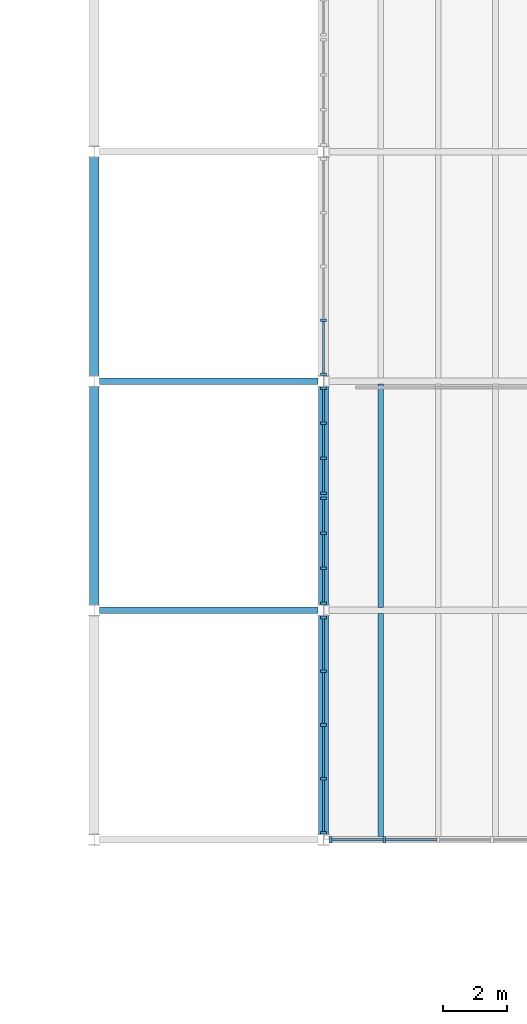
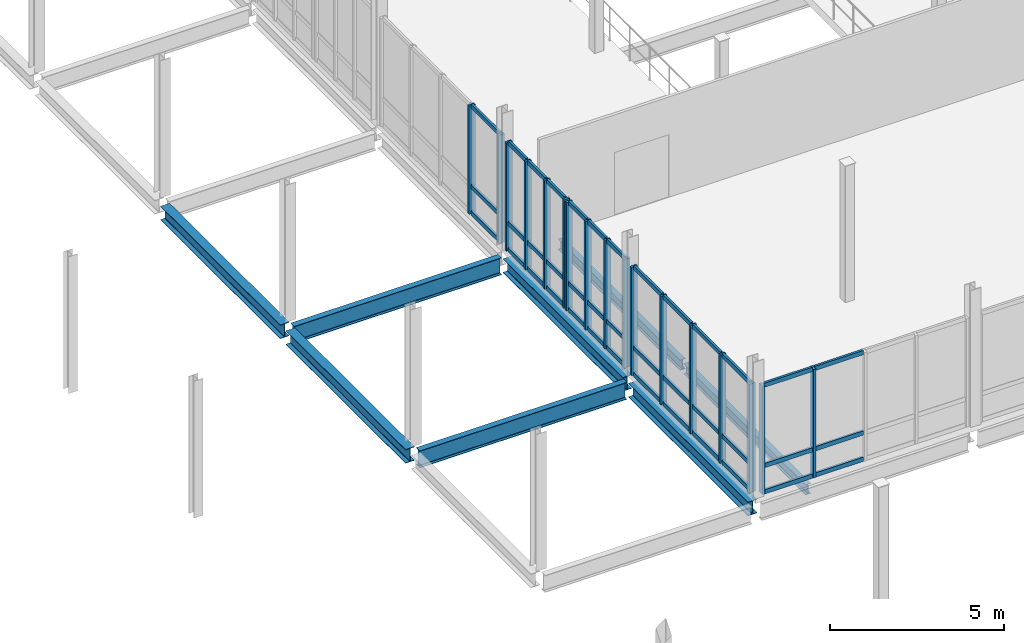
# One storey, part 20 of 77: 56 members, 8 beams, 5 elements without a shape of their own.
"""IFC4 building model written with IfcOpenShell, lengths in metres."""

import ifcopenshell
import ifcopenshell.guid

model = None  # the IFC model being written
_history = None  # IfcOwnerHistory: only IFC2X3 demands one
_inside = {}  # id of a spatial element -> (the spatial element, [elements in it])
_under = {}  # id of a project, library or spatial element -> (it, [spatial elements below it])
_declared = {}  # id of a project -> (the project, [libraries it declares])
_typed = {}  # id of a type object -> (the type object, [elements of that type])
_made_of = {}  # id of a material, layer set ... -> (it, [elements and type objects made of it])


def new_model(schema):
    """Start an empty IFC model of exactly this schema.

    Asked for "IFC4X3", IfcOpenShell would pick the latest addendum, in which some entities
    have other attributes; the version numbers below select the first issue.
    IFC2X3 requires an IfcOwnerHistory on every rooted entity: one is made here for all.
    """
    global model, _history
    if schema == "IFC4X3":
        model = ifcopenshell.file(schema_version=(4, 3, 0, 0))
    else:
        model = ifcopenshell.file(schema=schema)
    _inside.clear()
    _under.clear()
    _declared.clear()
    _typed.clear()
    _made_of.clear()
    _history = None
    if model.schema == "IFC2X3":
        org = make("IfcOrganization", Name="unknown")
        user = make(
            "IfcPersonAndOrganization",
            ThePerson=make("IfcPerson", FamilyName="unknown"),
            TheOrganization=org,
        )
        app = make(
            "IfcApplication",
            ApplicationDeveloper=org,
            Version="unknown",
            ApplicationFullName="unknown",
            ApplicationIdentifier="unknown",
        )
        _history = make(
            "IfcOwnerHistory",
            OwningUser=user,
            OwningApplication=app,
            ChangeAction="ADDED",
            CreationDate=0,
        )
    return model


def make(cls, **values):
    """One entity of the class cls with the attributes given. An attribute that is None is left unset."""
    return model.create_entity(
        cls, **{name: value for name, value in values.items() if value is not None}
    )


def rooted(cls, **values):
    """An entity with a GlobalId (a new one), such as an element, a storey or a relation."""
    return make(cls, GlobalId=ifcopenshell.guid.new(), OwnerHistory=_history, **values)


def si_unit(unit_type, name, prefix=None):
    """IfcSIUnit, for example si_unit("LENGTHUNIT", "METRE", prefix="MILLI")."""
    return make("IfcSIUnit", UnitType=unit_type, Prefix=prefix, Name=name)


def assignment(units):
    """IfcUnitAssignment: the units of a project."""
    return None if units is None else make("IfcUnitAssignment", Units=units)


def point(xyz):
    """IfcCartesianPoint."""
    return None if xyz is None else make("IfcCartesianPoint", Coordinates=xyz)


def direction(xyz):
    """IfcDirection."""
    return None if xyz is None else make("IfcDirection", DirectionRatios=xyz)


def frame(location, z_axis=None, x_axis=None):
    """IfcAxis2Placement3D, a coordinate frame: its origin and axes. An axis left out is left unset."""
    return make(
        "IfcAxis2Placement3D",
        Location=point(location),
        Axis=direction(z_axis),
        RefDirection=direction(x_axis),
    )


def frame_2d(location, x_axis=None):
    """IfcAxis2Placement2D, a coordinate frame in the plane: its origin and x axis."""
    return make(
        "IfcAxis2Placement2D", Location=point(location), RefDirection=direction(x_axis)
    )


def origin():
    """The frame at (0, 0, 0) with its axes left unset."""
    return frame((0.0, 0.0, 0.0))


def origin_2d():
    """The frame at (0, 0) in the plane with its x axis left unset."""
    return frame_2d((0.0, 0.0))


def place(relative_to, where):
    """IfcLocalPlacement: puts the frame where relative to a parent placement (None: the world)."""
    return make(
        "IfcLocalPlacement", PlacementRelTo=relative_to, RelativePlacement=where
    )


def context(
    kind, dimensions, precision=None, world=None, true_north=None, identifier=None
):
    """IfcGeometricRepresentationContext, for example the 3D "Model" context."""
    return make(
        "IfcGeometricRepresentationContext",
        ContextIdentifier=identifier,
        ContextType=kind,
        CoordinateSpaceDimension=dimensions,
        Precision=precision,
        WorldCoordinateSystem=world,
        TrueNorth=true_north,
    )


def subcontext(parent, identifier, kind, view, scale=None):
    """IfcGeometricRepresentationSubContext, for example "Body" below "Model"."""
    return make(
        "IfcGeometricRepresentationSubContext",
        ContextIdentifier=identifier,
        ContextType=kind,
        ParentContext=parent,
        TargetScale=scale,
        TargetView=view,
    )


def project(units=None, contexts=None):
    """IfcProject with its units and contexts."""
    return rooted(
        "IfcProject",
        Name="project",
        RepresentationContexts=contexts,
        UnitsInContext=assignment(units),
    )


def spatial(cls, under=None, at=None, **own):
    """A site, building, storey or space (cls), placed at a placement, below another one or the project."""
    s = rooted(cls, ObjectPlacement=at, **own)
    if under is not None:
        _under.setdefault(under.id(), (under, []))[1].append(s)
    return s


def profile(cls, at=None, kind="AREA", **sizes):
    """A parametric profile (cls). Its sizes go by their IFC names, for example OverallWidth=200.0."""
    return make(cls, ProfileType=kind, Position=at, **sizes)


def rectangle(**sizes):
    """IfcRectangleProfileDef."""
    return profile("IfcRectangleProfileDef", **sizes)


def i_section(**sizes):
    """IfcIShapeProfileDef."""
    return profile("IfcIShapeProfileDef", **sizes)


def extrude(swept, where, along, depth):
    """IfcExtrudedAreaSolid: the profile swept, set in the frame where, extruded along a direction by depth."""
    return make(
        "IfcExtrudedAreaSolid",
        SweptArea=swept,
        Position=where,
        ExtrudedDirection=direction(along),
        Depth=depth,
    )


def shape(context_of_items, identifier, shape_type, items):
    """IfcShapeRepresentation: the items that make up one representation, for example the "Body"."""
    return make(
        "IfcShapeRepresentation",
        ContextOfItems=context_of_items,
        RepresentationIdentifier=identifier,
        RepresentationType=shape_type,
        Items=items,
    )


def material(Name=None, Category=None):
    """IfcMaterial."""
    return make("IfcMaterial", Name=Name, Category=Category)


def material_profile(
    of_material, cross_section, Name=None, Category=None, Priority=None
):
    """IfcMaterialProfile: a cross section and its material."""
    return make(
        "IfcMaterialProfile",
        Name=Name,
        Material=of_material,
        Profile=cross_section,
        Priority=Priority,
        Category=Category,
    )


def profile_set(profiles, Name=None, composite=None):
    """IfcMaterialProfileSet."""
    return make(
        "IfcMaterialProfileSet",
        Name=Name,
        MaterialProfiles=profiles,
        CompositeProfile=composite,
    )


def made_of(thing, what):
    """Note that an element or type object is made of a material, layer set ...; save() writes the relation."""
    if what is not None:
        _made_of.setdefault(what.id(), (what, []))[1].append(thing)
    return thing


def type_object(cls, material=None, **own):
    """A type object (cls), such as IfcWallType, which elements share."""
    return made_of(rooted(cls, **own), material)


def element(
    cls,
    number,
    at=None,
    inside=None,
    cuts=None,
    type_object=None,
    material=None,
    context=None,
    identifier="Body",
    shape_type=None,
    held_by="IfcProductDefinitionShape",
    body=None,
    shapes=None,
    **own,
):
    """One element of the class cls, such as IfcWall. Its Tag is "e" and its number.

    at: its placement. inside: the storey or other place that contains it. cuts: it is an
    opening in that element (IfcRelVoidsElement). A single representation is given by context,
    identifier, shape_type and body (its items); several are given by shapes. held_by: the class
    of the entity that holds the representations. save() writes the other relations.
    """
    e = rooted(cls, Tag="e%d" % number, ObjectPlacement=at, **own)
    if body is not None:
        shapes = [shape(context, identifier, shape_type, body)]
    if shapes is not None:
        e.Representation = make(held_by, Representations=shapes)
    if inside is not None:
        _inside.setdefault(inside.id(), (inside, []))[1].append(e)
    if cuts is not None:
        rooted(
            "IfcRelVoidsElement", RelatingBuildingElement=cuts, RelatedOpeningElement=e
        )
    if type_object is not None:
        _typed.setdefault(type_object.id(), (type_object, []))[1].append(e)
    return made_of(e, material)


def aggregate(whole, parts):
    """IfcRelAggregates: a whole, such as a stair, and the parts it consists of."""
    return rooted("IfcRelAggregates", RelatingObject=whole, RelatedObjects=parts)


def save(model, path):
    """Write the relations noted so far, then the file.

    IfcRelAggregates (storeys below a building ...), IfcRelContainedInSpatialStructure (elements
    in a storey), IfcRelDefinesByType, IfcRelAssociatesMaterial and IfcRelDeclares: one each for
    every whole, place, type object, material and project.
    """
    for whole, parts in _under.values():
        aggregate(whole, parts)
    for where, things in _inside.values():
        rooted(
            "IfcRelContainedInSpatialStructure",
            RelatedElements=things,
            RelatingStructure=where,
        )
    for kind, things in _typed.values():
        rooted("IfcRelDefinesByType", RelatedObjects=things, RelatingType=kind)
    for what, things in _made_of.values():
        rooted("IfcRelAssociatesMaterial", RelatedObjects=things, RelatingMaterial=what)
    for by, libraries in _declared.values():
        rooted("IfcRelDeclares", RelatingContext=by, RelatedDefinitions=libraries)
    model.write(path)


model = new_model("IFC4")

# Units and contexts
model_context = context("Model", 3, precision=1e-05, world=origin(), true_north=direction((0.0, 1.0)))
body_context = subcontext(model_context, "Body", "Model", "MODEL_VIEW")
ifc_project = project(units=[si_unit("LENGTHUNIT", "METRE"), si_unit("AREAUNIT", "SQUARE_METRE"), si_unit("VOLUMEUNIT", "CUBIC_METRE"), si_unit("PLANEANGLEUNIT", "RADIAN"), si_unit("MASSUNIT", "GRAM", prefix="KILO")], contexts=[model_context])

# Site, building, storey
site_placement = place(None, origin())
site = spatial("IfcSite", under=ifc_project, at=site_placement, CompositionType="ELEMENT")
building_placement = place(site_placement, origin())
building = spatial("IfcBuilding", under=site, at=building_placement, Name="Qiaolan Assembly House", CompositionType="ELEMENT")
storey_placement = place(building_placement, frame((0.0, 0.0, 5.39990234375)))
storey = spatial("IfcBuildingStorey", under=building, at=storey_placement, Name="L01", CompositionType="ELEMENT", Elevation=5.39990234375)

# Beams
ifc_material_1 = material(Name="Steel Q355B", Category="steel")
ifc_material_profile_1 = material_profile(ifc_material_1, i_section(OverallWidth=0.300048828125, OverallDepth=0.488037109375, WebThickness=0.010986328125, FlangeThickness=0.01806640625, FilletRadius=0.02001953125, at=origin_2d()), Name="HM 488x300x11x18")
ifc_profile_set_1 = profile_set([ifc_material_profile_1], Name="Steel Q355B")
beam_type_1 = type_object("IfcBeamType", Name="BM-STL-HM488", PredefinedType="BEAM", material=ifc_profile_set_1)
for number, where, z_axis, x_axis, name in (
    (1, (21.60009765625, 43.364990234375, -0.5439453125), (0.0, 1.0, 0.0), (-1.0, 0.0, 0.0), "SB-04 beam BMY-HL-L01-00-01"),
    (2, (21.60009765625, 50.56494140625, -0.5439453125), (0.0, 1.0, 0.0), (-1.0, 0.0, 0.0), "SB-04 beam BMY-HL-L01-00-02"),
):
    element("IfcBeam", number, at=place(storey_placement, frame(where, z_axis=z_axis, x_axis=x_axis)), inside=storey, type_object=beam_type_1, Name=name, PredefinedType="BEAM", context=body_context, shape_type="SweptSolid", body=[
        extrude(i_section(OverallWidth=0.300048828125, OverallDepth=0.488037109375, WebThickness=0.010986328125, FlangeThickness=0.01806640625, FilletRadius=0.02001953125, at=origin_2d()), origin(), (0.0, 0.0, 1.0), 6.8701171875),
    ])
beam_1_placement = place(storey_placement, frame((28.800048828125, 36.1650390625, -0.5439453125), z_axis=(0.0, 1.0, 0.0), x_axis=(-1.0, 0.0, 0.0)))
element("IfcBeam", 3, at=beam_1_placement, inside=storey, type_object=beam_type_1, Name="SB-04 beam BMY-HL-L01-01-00", PredefinedType="BEAM", context=body_context, shape_type="SweptSolid", body=[
    extrude(i_section(OverallWidth=0.300048828125, OverallDepth=0.488037109375, WebThickness=0.010986328125, FlangeThickness=0.01806640625, FilletRadius=0.02001953125, at=origin_2d()), origin(), (0.0, 0.0, 1.0), 6.869873046875),
])
beam_2_placement = place(storey_placement, frame((28.800048828125, 43.364990234375, -0.5439453125), z_axis=(0.0, 1.0, 0.0), x_axis=(-1.0, 0.0, 0.0)))
element("IfcBeam", 4, at=beam_2_placement, inside=storey, type_object=beam_type_1, Name="SB-04 beam BMY-HL-L01-01-01", PredefinedType="BEAM", context=body_context, shape_type="SweptSolid", body=[
    extrude(i_section(OverallWidth=0.300048828125, OverallDepth=0.488037109375, WebThickness=0.010986328125, FlangeThickness=0.01806640625, FilletRadius=0.02001953125, at=origin_2d()), origin(), (0.0, 0.0, 1.0), 6.8701171875),
])
ifc_material_profile_2 = material_profile(ifc_material_1, i_section(OverallWidth=0.199951171875, OverallDepth=0.60009765625, WebThickness=0.010986328125, FlangeThickness=0.01708984375, FilletRadius=0.02001953125, at=origin_2d()), Name="HN 600x200x11x17")
ifc_profile_set_2 = profile_set([ifc_material_profile_2], Name="Steel Q355B")
beam_type_2 = type_object("IfcBeamType", Name="BM-STL-HN600", PredefinedType="BEAM", material=ifc_profile_set_2)
for number, where, z_axis, x_axis, name in (
    (5, (21.764892578125, 43.199951171875, -0.599853515625), (1.0, 0.0, 0.0), (0.0, 1.0, 0.0), "SB-03 beam BMX-HL-L01-00-01"),
    (6, (21.764892578125, 50.39990234375, -0.599853515625), (1.0, 0.0, 0.0), (0.0, 1.0, 0.0), "SB-03 beam BMX-HL-L01-00-02"),
):
    element("IfcBeam", number, at=place(storey_placement, frame(where, z_axis=z_axis, x_axis=x_axis)), inside=storey, type_object=beam_type_2, Name=name, PredefinedType="BEAM", context=body_context, shape_type="SweptSolid", body=[
        extrude(i_section(OverallWidth=0.199951171875, OverallDepth=0.60009765625, WebThickness=0.010986328125, FlangeThickness=0.01708984375, FilletRadius=0.02001953125, at=origin_2d()), origin(), (0.0, 0.0, 1.0), 6.8701171875),
    ])

# Curtain wall, members
ifc_material_2 = material(Name="Anodised bronze aluminium", Category="aluminium")
curtain_wall_type = type_object("IfcCurtainWallType", Name="CW-HALL-UPPER-480", PredefinedType="NOTDEFINED", material=ifc_material_2)
curtain_wall_1_placement = place(storey_placement, origin())
curtain_wall_1 = element("IfcCurtainWall", 7, at=curtain_wall_1_placement, inside=storey, type_object=curtain_wall_type, Name="CW-01 Hall West facade L01-0", PredefinedType="NOTDEFINED")
ifc_material_profile_3 = material_profile(ifc_material_2, rectangle(XDim=0.0859375, YDim=0.199951171875, at=origin_2d()), Name="MUL 86x200")
ifc_profile_set_3 = profile_set([ifc_material_profile_3], Name="Anodised bronze aluminium")
member_type_1 = type_object("IfcMemberType", Name="CW-HALL-UPPER-480-MUL", PredefinedType="MULLION", material=ifc_profile_set_3)
member_1_placement = place(storey_placement, frame((28.800048828125, 36.219970703125, 0.0), z_axis=(0.0, 0.0, 1.0), x_axis=(0.0, 1.0, 0.0)))
member_1 = element("IfcMember", 8, at=member_1_placement, type_object=member_type_1, Name="ML-02 mullion CW-HALL-W-L01-0-1", PredefinedType="MULLION", context=body_context, shape_type="SweptSolid", body=[
    extrude(rectangle(XDim=0.0859375, YDim=0.199951171875, at=origin_2d()), origin(), (0.0, 0.0, 1.0), 3.800048828125),
])
member_2_placement = place(storey_placement, frame((28.800048828125, 37.909912109375, 0.0), z_axis=(0.0, 0.0, 1.0), x_axis=(0.0, 1.0, 0.0)))
member_2 = element("IfcMember", 9, at=member_2_placement, type_object=member_type_1, Name="ML-02 mullion CW-HALL-W-L01-0-2", PredefinedType="MULLION", context=body_context, shape_type="SweptSolid", body=[
    extrude(rectangle(XDim=0.0859375, YDim=0.199951171875, at=origin_2d()), origin(), (0.0, 0.0, 1.0), 3.800048828125),
])
member_3_placement = place(storey_placement, frame((28.800048828125, 39.60009765625, 0.0), z_axis=(0.0, 0.0, 1.0), x_axis=(0.0, 1.0, 0.0)))
member_3 = element("IfcMember", 10, at=member_3_placement, type_object=member_type_1, Name="ML-02 mullion CW-HALL-W-L01-0-3", PredefinedType="MULLION", context=body_context, shape_type="SweptSolid", body=[
    extrude(rectangle(XDim=0.0859375, YDim=0.199951171875, at=origin_2d()), origin(), (0.0, 0.0, 1.0), 3.800048828125),
])
member_4_placement = place(storey_placement, frame((28.800048828125, 41.2900390625, 0.0), z_axis=(0.0, 0.0, 1.0), x_axis=(0.0, 1.0, 0.0)))
member_4 = element("IfcMember", 11, at=member_4_placement, type_object=member_type_1, Name="ML-02 mullion CW-HALL-W-L01-0-4", PredefinedType="MULLION", context=body_context, shape_type="SweptSolid", body=[
    extrude(rectangle(XDim=0.0859375, YDim=0.199951171875, at=origin_2d()), origin(), (0.0, 0.0, 1.0), 3.800048828125),
])
member_5_placement = place(storey_placement, frame((28.800048828125, 42.97998046875, 0.0), z_axis=(0.0, 0.0, 1.0), x_axis=(0.0, 1.0, 0.0)))
member_5 = element("IfcMember", 12, at=member_5_placement, type_object=member_type_1, Name="ML-02 mullion CW-HALL-W-L01-0-5", PredefinedType="MULLION", context=body_context, shape_type="SweptSolid", body=[
    extrude(rectangle(XDim=0.0859375, YDim=0.199951171875, at=origin_2d()), origin(), (0.0, 0.0, 1.0), 3.800048828125),
])

curtain_wall_2_placement = place(storey_placement, origin())
curtain_wall_2 = element("IfcCurtainWall", 13, at=curtain_wall_2_placement, inside=storey, type_object=curtain_wall_type, Name="CW-01 Hall West facade L01-1A", PredefinedType="NOTDEFINED")
member_6_placement = place(storey_placement, frame((28.800048828125, 43.419921875, 0.0), z_axis=(0.0, 0.0, 1.0), x_axis=(0.0, 1.0, 0.0)))
member_6 = element("IfcMember", 14, at=member_6_placement, type_object=member_type_1, Name="ML-02 mullion CW-HALL-W-L01-1A-1", PredefinedType="MULLION", context=body_context, shape_type="SweptSolid", body=[
    extrude(rectangle(XDim=0.0859375, YDim=0.199951171875, at=origin_2d()), origin(), (0.0, 0.0, 1.0), 3.800048828125),
])
member_7_placement = place(storey_placement, frame((28.800048828125, 44.52001953125, 0.0), z_axis=(0.0, 0.0, 1.0), x_axis=(0.0, 1.0, 0.0)))
member_7 = element("IfcMember", 15, at=member_7_placement, type_object=member_type_1, Name="ML-02 mullion CW-HALL-W-L01-1A-2", PredefinedType="MULLION", context=body_context, shape_type="SweptSolid", body=[
    extrude(rectangle(XDim=0.0859375, YDim=0.199951171875, at=origin_2d()), origin(), (0.0, 0.0, 1.0), 3.800048828125),
])
member_8_placement = place(storey_placement, frame((28.800048828125, 45.6201171875, 0.0), z_axis=(0.0, 0.0, 1.0), x_axis=(0.0, 1.0, 0.0)))
member_8 = element("IfcMember", 16, at=member_8_placement, type_object=member_type_1, Name="ML-02 mullion CW-HALL-W-L01-1A-3", PredefinedType="MULLION", context=body_context, shape_type="SweptSolid", body=[
    extrude(rectangle(XDim=0.0859375, YDim=0.199951171875, at=origin_2d()), origin(), (0.0, 0.0, 1.0), 3.800048828125),
])
member_9_placement = place(storey_placement, frame((28.800048828125, 46.719970703125, 0.0), z_axis=(0.0, 0.0, 1.0), x_axis=(0.0, 1.0, 0.0)))
member_9 = element("IfcMember", 17, at=member_9_placement, type_object=member_type_1, Name="ML-02 mullion CW-HALL-W-L01-1A-4", PredefinedType="MULLION", context=body_context, shape_type="SweptSolid", body=[
    extrude(rectangle(XDim=0.0859375, YDim=0.199951171875, at=origin_2d()), origin(), (0.0, 0.0, 1.0), 3.800048828125),
])

curtain_wall_3_placement = place(storey_placement, origin())
curtain_wall_3 = element("IfcCurtainWall", 18, at=curtain_wall_3_placement, inside=storey, type_object=curtain_wall_type, Name="CW-01 Hall West facade L01-1B", PredefinedType="NOTDEFINED")
member_10_placement = place(storey_placement, frame((28.800048828125, 46.8798828125, 0.0), z_axis=(0.0, 0.0, 1.0), x_axis=(0.0, 1.0, 0.0)))
member_10 = element("IfcMember", 19, at=member_10_placement, type_object=member_type_1, Name="ML-02 mullion CW-HALL-W-L01-1B-1", PredefinedType="MULLION", context=body_context, shape_type="SweptSolid", body=[
    extrude(rectangle(XDim=0.0859375, YDim=0.199951171875, at=origin_2d()), origin(), (0.0, 0.0, 1.0), 3.800048828125),
])
member_11_placement = place(storey_placement, frame((28.800048828125, 47.97998046875, 0.0), z_axis=(0.0, 0.0, 1.0), x_axis=(0.0, 1.0, 0.0)))
member_11 = element("IfcMember", 20, at=member_11_placement, type_object=member_type_1, Name="ML-02 mullion CW-HALL-W-L01-1B-2", PredefinedType="MULLION", context=body_context, shape_type="SweptSolid", body=[
    extrude(rectangle(XDim=0.0859375, YDim=0.199951171875, at=origin_2d()), origin(), (0.0, 0.0, 1.0), 3.800048828125),
])
member_12_placement = place(storey_placement, frame((28.800048828125, 49.080078125, 0.0), z_axis=(0.0, 0.0, 1.0), x_axis=(0.0, 1.0, 0.0)))
member_12 = element("IfcMember", 21, at=member_12_placement, type_object=member_type_1, Name="ML-02 mullion CW-HALL-W-L01-1B-3", PredefinedType="MULLION", context=body_context, shape_type="SweptSolid", body=[
    extrude(rectangle(XDim=0.0859375, YDim=0.199951171875, at=origin_2d()), origin(), (0.0, 0.0, 1.0), 3.800048828125),
])
member_13_placement = place(storey_placement, frame((28.800048828125, 50.179931640625, 0.0), z_axis=(0.0, 0.0, 1.0), x_axis=(0.0, 1.0, 0.0)))
member_13 = element("IfcMember", 22, at=member_13_placement, type_object=member_type_1, Name="ML-02 mullion CW-HALL-W-L01-1B-4", PredefinedType="MULLION", context=body_context, shape_type="SweptSolid", body=[
    extrude(rectangle(XDim=0.0859375, YDim=0.199951171875, at=origin_2d()), origin(), (0.0, 0.0, 1.0), 3.800048828125),
])

curtain_wall_4_placement = place(storey_placement, origin())
curtain_wall_4 = element("IfcCurtainWall", 23, at=curtain_wall_4_placement, inside=storey, type_object=curtain_wall_type, Name="CW-01 Hall West facade L01-2", PredefinedType="NOTDEFINED")
member_14_placement = place(storey_placement, frame((28.800048828125, 50.6201171875, 0.0), z_axis=(0.0, 0.0, 1.0), x_axis=(0.0, 1.0, 0.0)))
member_14 = element("IfcMember", 24, at=member_14_placement, type_object=member_type_1, Name="ML-02 mullion CW-HALL-W-L01-2-1", PredefinedType="MULLION", context=body_context, shape_type="SweptSolid", body=[
    extrude(rectangle(XDim=0.0859375, YDim=0.199951171875, at=origin_2d()), origin(), (0.0, 0.0, 1.0), 3.800048828125),
])
member_15_placement = place(storey_placement, frame((28.800048828125, 52.31005859375, 0.0), z_axis=(0.0, 0.0, 1.0), x_axis=(0.0, 1.0, 0.0)))
member_15 = element("IfcMember", 25, at=member_15_placement, type_object=member_type_1, Name="ML-02 mullion CW-HALL-W-L01-2-2", PredefinedType="MULLION", context=body_context, shape_type="SweptSolid", body=[
    extrude(rectangle(XDim=0.0859375, YDim=0.199951171875, at=origin_2d()), origin(), (0.0, 0.0, 1.0), 3.800048828125),
])

curtain_wall_5_placement = place(storey_placement, origin())
curtain_wall_5 = element("IfcCurtainWall", 26, at=curtain_wall_5_placement, inside=storey, type_object=curtain_wall_type, Name="CW-01 Hall South plaza curtain wall L01-1", PredefinedType="NOTDEFINED")
member_16_placement = place(storey_placement, frame((29.02001953125, 36.0, 0.0), z_axis=(0.0, 0.0, 1.0), x_axis=(1.0, 0.0, 0.0)))
member_16 = element("IfcMember", 27, at=member_16_placement, type_object=member_type_1, Name="ML-02 mullion CW-HALL-S-L01-00-1", PredefinedType="MULLION", context=body_context, shape_type="SweptSolid", body=[
    extrude(rectangle(XDim=0.0859375, YDim=0.199951171875, at=origin_2d()), origin(), (0.0, 0.0, 1.0), 3.800048828125),
])
member_17_placement = place(storey_placement, frame((30.7099609375, 36.0, 0.0), z_axis=(0.0, 0.0, 1.0), x_axis=(1.0, 0.0, 0.0)))
member_17 = element("IfcMember", 28, at=member_17_placement, type_object=member_type_1, Name="ML-02 mullion CW-HALL-S-L01-00-2", PredefinedType="MULLION", context=body_context, shape_type="SweptSolid", body=[
    extrude(rectangle(XDim=0.0859375, YDim=0.199951171875, at=origin_2d()), origin(), (0.0, 0.0, 1.0), 3.800048828125),
])

# Member
ifc_material_profile_4 = material_profile(ifc_material_2, rectangle(XDim=0.075927734375, YDim=0.14990234375, at=origin_2d()), Name="TRN 76x150")
ifc_profile_set_4 = profile_set([ifc_material_profile_4], Name="Anodised bronze aluminium")
member_type_2 = type_object("IfcMemberType", Name="CW-HALL-UPPER-480-TRN", PredefinedType="USERDEFINED", material=ifc_profile_set_4)
member_18_placement = place(storey_placement, frame((28.800048828125, 36.262939453125, 0.030029296875), z_axis=(0.0, 1.0, 0.0), x_axis=(-1.0, 0.0, 0.0)))
member_18 = element("IfcMember", 29, at=member_18_placement, type_object=member_type_2, Name="TR-02 transom CW-HALL-W-L01-0-1-1", ObjectType="TRANSOM", PredefinedType="USERDEFINED", context=body_context, shape_type="SweptSolid", body=[
    extrude(rectangle(XDim=0.075927734375, YDim=0.14990234375, at=origin_2d()), origin(), (0.0, 0.0, 1.0), 1.60400390625),
])

member_19_placement = place(storey_placement, frame((28.800048828125, 36.262939453125, 0.9501953125), z_axis=(0.0, 1.0, 0.0), x_axis=(-1.0, 0.0, 0.0)))
member_19 = element("IfcMember", 30, at=member_19_placement, type_object=member_type_2, Name="TR-02 transom CW-HALL-W-L01-0-1-2", ObjectType="TRANSOM", PredefinedType="USERDEFINED", context=body_context, shape_type="SweptSolid", body=[
    extrude(rectangle(XDim=0.075927734375, YDim=0.14990234375, at=origin_2d()), origin(), (0.0, 0.0, 1.0), 1.60400390625),
])

member_20_placement = place(storey_placement, frame((28.800048828125, 36.262939453125, 3.77001953125), z_axis=(0.0, 1.0, 0.0), x_axis=(-1.0, 0.0, 0.0)))
member_20 = element("IfcMember", 31, at=member_20_placement, type_object=member_type_2, Name="TR-02 transom CW-HALL-W-L01-0-1-3", ObjectType="TRANSOM", PredefinedType="USERDEFINED", context=body_context, shape_type="SweptSolid", body=[
    extrude(rectangle(XDim=0.075927734375, YDim=0.14990234375, at=origin_2d()), origin(), (0.0, 0.0, 1.0), 1.60400390625),
])

member_21_placement = place(storey_placement, frame((28.800048828125, 37.952880859375, 0.030029296875), z_axis=(0.0, 1.0, 0.0), x_axis=(-1.0, 0.0, 0.0)))
member_21 = element("IfcMember", 32, at=member_21_placement, type_object=member_type_2, Name="TR-02 transom CW-HALL-W-L01-0-2-1", ObjectType="TRANSOM", PredefinedType="USERDEFINED", context=body_context, shape_type="SweptSolid", body=[
    extrude(rectangle(XDim=0.075927734375, YDim=0.14990234375, at=origin_2d()), origin(), (0.0, 0.0, 1.0), 1.60400390625),
])

member_22_placement = place(storey_placement, frame((28.800048828125, 37.952880859375, 0.9501953125), z_axis=(0.0, 1.0, 0.0), x_axis=(-1.0, 0.0, 0.0)))
member_22 = element("IfcMember", 33, at=member_22_placement, type_object=member_type_2, Name="TR-02 transom CW-HALL-W-L01-0-2-2", ObjectType="TRANSOM", PredefinedType="USERDEFINED", context=body_context, shape_type="SweptSolid", body=[
    extrude(rectangle(XDim=0.075927734375, YDim=0.14990234375, at=origin_2d()), origin(), (0.0, 0.0, 1.0), 1.60400390625),
])

member_23_placement = place(storey_placement, frame((28.800048828125, 37.952880859375, 3.77001953125), z_axis=(0.0, 1.0, 0.0), x_axis=(-1.0, 0.0, 0.0)))
member_23 = element("IfcMember", 34, at=member_23_placement, type_object=member_type_2, Name="TR-02 transom CW-HALL-W-L01-0-2-3", ObjectType="TRANSOM", PredefinedType="USERDEFINED", context=body_context, shape_type="SweptSolid", body=[
    extrude(rectangle(XDim=0.075927734375, YDim=0.14990234375, at=origin_2d()), origin(), (0.0, 0.0, 1.0), 1.60400390625),
])

member_24_placement = place(storey_placement, frame((28.800048828125, 39.64306640625, 0.030029296875), z_axis=(0.0, 1.0, 0.0), x_axis=(-1.0, 0.0, 0.0)))
member_24 = element("IfcMember", 35, at=member_24_placement, type_object=member_type_2, Name="TR-02 transom CW-HALL-W-L01-0-3-1", ObjectType="TRANSOM", PredefinedType="USERDEFINED", context=body_context, shape_type="SweptSolid", body=[
    extrude(rectangle(XDim=0.075927734375, YDim=0.14990234375, at=origin_2d()), origin(), (0.0, 0.0, 1.0), 1.60400390625),
])

member_25_placement = place(storey_placement, frame((28.800048828125, 39.64306640625, 0.9501953125), z_axis=(0.0, 1.0, 0.0), x_axis=(-1.0, 0.0, 0.0)))
member_25 = element("IfcMember", 36, at=member_25_placement, type_object=member_type_2, Name="TR-02 transom CW-HALL-W-L01-0-3-2", ObjectType="TRANSOM", PredefinedType="USERDEFINED", context=body_context, shape_type="SweptSolid", body=[
    extrude(rectangle(XDim=0.075927734375, YDim=0.14990234375, at=origin_2d()), origin(), (0.0, 0.0, 1.0), 1.60400390625),
])

member_26_placement = place(storey_placement, frame((28.800048828125, 39.64306640625, 3.77001953125), z_axis=(0.0, 1.0, 0.0), x_axis=(-1.0, 0.0, 0.0)))
member_26 = element("IfcMember", 37, at=member_26_placement, type_object=member_type_2, Name="TR-02 transom CW-HALL-W-L01-0-3-3", ObjectType="TRANSOM", PredefinedType="USERDEFINED", context=body_context, shape_type="SweptSolid", body=[
    extrude(rectangle(XDim=0.075927734375, YDim=0.14990234375, at=origin_2d()), origin(), (0.0, 0.0, 1.0), 1.60400390625),
])

member_27_placement = place(storey_placement, frame((28.800048828125, 41.3330078125, 0.030029296875), z_axis=(0.0, 1.0, 0.0), x_axis=(-1.0, 0.0, 0.0)))
member_27 = element("IfcMember", 38, at=member_27_placement, type_object=member_type_2, Name="TR-02 transom CW-HALL-W-L01-0-4-1", ObjectType="TRANSOM", PredefinedType="USERDEFINED", context=body_context, shape_type="SweptSolid", body=[
    extrude(rectangle(XDim=0.075927734375, YDim=0.14990234375, at=origin_2d()), origin(), (0.0, 0.0, 1.0), 1.60400390625),
])

member_28_placement = place(storey_placement, frame((28.800048828125, 41.3330078125, 0.9501953125), z_axis=(0.0, 1.0, 0.0), x_axis=(-1.0, 0.0, 0.0)))
member_28 = element("IfcMember", 39, at=member_28_placement, type_object=member_type_2, Name="TR-02 transom CW-HALL-W-L01-0-4-2", ObjectType="TRANSOM", PredefinedType="USERDEFINED", context=body_context, shape_type="SweptSolid", body=[
    extrude(rectangle(XDim=0.075927734375, YDim=0.14990234375, at=origin_2d()), origin(), (0.0, 0.0, 1.0), 1.60400390625),
])

member_29_placement = place(storey_placement, frame((28.800048828125, 41.3330078125, 3.77001953125), z_axis=(0.0, 1.0, 0.0), x_axis=(-1.0, 0.0, 0.0)))
member_29 = element("IfcMember", 40, at=member_29_placement, type_object=member_type_2, Name="TR-02 transom CW-HALL-W-L01-0-4-3", ObjectType="TRANSOM", PredefinedType="USERDEFINED", context=body_context, shape_type="SweptSolid", body=[
    extrude(rectangle(XDim=0.075927734375, YDim=0.14990234375, at=origin_2d()), origin(), (0.0, 0.0, 1.0), 1.60400390625),
])

aggregate(curtain_wall_1, [member_1, member_2, member_3, member_4, member_5, member_18, member_19, member_20, member_21, member_22, member_23, member_24, member_25, member_26, member_27, member_28, member_29])

member_30_placement = place(storey_placement, frame((28.800048828125, 43.462890625, 0.030029296875), z_axis=(0.0, 1.0, 0.0), x_axis=(-1.0, 0.0, 0.0)))
member_30 = element("IfcMember", 41, at=member_30_placement, type_object=member_type_2, Name="TR-02 transom CW-HALL-W-L01-1A-1-1", ObjectType="TRANSOM", PredefinedType="USERDEFINED", context=body_context, shape_type="SweptSolid", body=[
    extrude(rectangle(XDim=0.075927734375, YDim=0.14990234375, at=origin_2d()), origin(), (0.0, 0.0, 1.0), 1.01416015625),
])

member_31_placement = place(storey_placement, frame((28.800048828125, 43.462890625, 0.9501953125), z_axis=(0.0, 1.0, 0.0), x_axis=(-1.0, 0.0, 0.0)))
member_31 = element("IfcMember", 42, at=member_31_placement, type_object=member_type_2, Name="TR-02 transom CW-HALL-W-L01-1A-1-2", ObjectType="TRANSOM", PredefinedType="USERDEFINED", context=body_context, shape_type="SweptSolid", body=[
    extrude(rectangle(XDim=0.075927734375, YDim=0.14990234375, at=origin_2d()), origin(), (0.0, 0.0, 1.0), 1.01416015625),
])

member_32_placement = place(storey_placement, frame((28.800048828125, 43.462890625, 3.77001953125), z_axis=(0.0, 1.0, 0.0), x_axis=(-1.0, 0.0, 0.0)))
member_32 = element("IfcMember", 43, at=member_32_placement, type_object=member_type_2, Name="TR-02 transom CW-HALL-W-L01-1A-1-3", ObjectType="TRANSOM", PredefinedType="USERDEFINED", context=body_context, shape_type="SweptSolid", body=[
    extrude(rectangle(XDim=0.075927734375, YDim=0.14990234375, at=origin_2d()), origin(), (0.0, 0.0, 1.0), 1.01416015625),
])

member_33_placement = place(storey_placement, frame((28.800048828125, 44.56298828125, 0.030029296875), z_axis=(0.0, 1.0, 0.0), x_axis=(-1.0, 0.0, 0.0)))
member_33 = element("IfcMember", 44, at=member_33_placement, type_object=member_type_2, Name="TR-02 transom CW-HALL-W-L01-1A-2-1", ObjectType="TRANSOM", PredefinedType="USERDEFINED", context=body_context, shape_type="SweptSolid", body=[
    extrude(rectangle(XDim=0.075927734375, YDim=0.14990234375, at=origin_2d()), origin(), (0.0, 0.0, 1.0), 1.013916015625),
])

member_34_placement = place(storey_placement, frame((28.800048828125, 44.56298828125, 0.9501953125), z_axis=(0.0, 1.0, 0.0), x_axis=(-1.0, 0.0, 0.0)))
member_34 = element("IfcMember", 45, at=member_34_placement, type_object=member_type_2, Name="TR-02 transom CW-HALL-W-L01-1A-2-2", ObjectType="TRANSOM", PredefinedType="USERDEFINED", context=body_context, shape_type="SweptSolid", body=[
    extrude(rectangle(XDim=0.075927734375, YDim=0.14990234375, at=origin_2d()), origin(), (0.0, 0.0, 1.0), 1.013916015625),
])

member_35_placement = place(storey_placement, frame((28.800048828125, 44.56298828125, 3.77001953125), z_axis=(0.0, 1.0, 0.0), x_axis=(-1.0, 0.0, 0.0)))
member_35 = element("IfcMember", 46, at=member_35_placement, type_object=member_type_2, Name="TR-02 transom CW-HALL-W-L01-1A-2-3", ObjectType="TRANSOM", PredefinedType="USERDEFINED", context=body_context, shape_type="SweptSolid", body=[
    extrude(rectangle(XDim=0.075927734375, YDim=0.14990234375, at=origin_2d()), origin(), (0.0, 0.0, 1.0), 1.013916015625),
])

member_36_placement = place(storey_placement, frame((28.800048828125, 45.6630859375, 0.030029296875), z_axis=(0.0, 1.0, 0.0), x_axis=(-1.0, 0.0, 0.0)))
member_36 = element("IfcMember", 47, at=member_36_placement, type_object=member_type_2, Name="TR-02 transom CW-HALL-W-L01-1A-3-1", ObjectType="TRANSOM", PredefinedType="USERDEFINED", context=body_context, shape_type="SweptSolid", body=[
    extrude(rectangle(XDim=0.075927734375, YDim=0.14990234375, at=origin_2d()), origin(), (0.0, 0.0, 1.0), 1.013916015625),
])

member_37_placement = place(storey_placement, frame((28.800048828125, 45.6630859375, 0.9501953125), z_axis=(0.0, 1.0, 0.0), x_axis=(-1.0, 0.0, 0.0)))
member_37 = element("IfcMember", 48, at=member_37_placement, type_object=member_type_2, Name="TR-02 transom CW-HALL-W-L01-1A-3-2", ObjectType="TRANSOM", PredefinedType="USERDEFINED", context=body_context, shape_type="SweptSolid", body=[
    extrude(rectangle(XDim=0.075927734375, YDim=0.14990234375, at=origin_2d()), origin(), (0.0, 0.0, 1.0), 1.013916015625),
])

member_38_placement = place(storey_placement, frame((28.800048828125, 45.6630859375, 3.77001953125), z_axis=(0.0, 1.0, 0.0), x_axis=(-1.0, 0.0, 0.0)))
member_38 = element("IfcMember", 49, at=member_38_placement, type_object=member_type_2, Name="TR-02 transom CW-HALL-W-L01-1A-3-3", ObjectType="TRANSOM", PredefinedType="USERDEFINED", context=body_context, shape_type="SweptSolid", body=[
    extrude(rectangle(XDim=0.075927734375, YDim=0.14990234375, at=origin_2d()), origin(), (0.0, 0.0, 1.0), 1.013916015625),
])

aggregate(curtain_wall_2, [member_6, member_7, member_8, member_9, member_30, member_31, member_32, member_33, member_34, member_35, member_36, member_37, member_38])

member_39_placement = place(storey_placement, frame((28.800048828125, 46.923095703125, 0.030029296875), z_axis=(0.0, 1.0, 0.0), x_axis=(-1.0, 0.0, 0.0)))
member_39 = element("IfcMember", 50, at=member_39_placement, type_object=member_type_2, Name="TR-02 transom CW-HALL-W-L01-1B-1-1", ObjectType="TRANSOM", PredefinedType="USERDEFINED", context=body_context, shape_type="SweptSolid", body=[
    extrude(rectangle(XDim=0.075927734375, YDim=0.14990234375, at=origin_2d()), origin(), (0.0, 0.0, 1.0), 1.013916015625),
])

member_40_placement = place(storey_placement, frame((28.800048828125, 46.923095703125, 0.9501953125), z_axis=(0.0, 1.0, 0.0), x_axis=(-1.0, 0.0, 0.0)))
member_40 = element("IfcMember", 51, at=member_40_placement, type_object=member_type_2, Name="TR-02 transom CW-HALL-W-L01-1B-1-2", ObjectType="TRANSOM", PredefinedType="USERDEFINED", context=body_context, shape_type="SweptSolid", body=[
    extrude(rectangle(XDim=0.075927734375, YDim=0.14990234375, at=origin_2d()), origin(), (0.0, 0.0, 1.0), 1.013916015625),
])

member_41_placement = place(storey_placement, frame((28.800048828125, 46.923095703125, 3.77001953125), z_axis=(0.0, 1.0, 0.0), x_axis=(-1.0, 0.0, 0.0)))
member_41 = element("IfcMember", 52, at=member_41_placement, type_object=member_type_2, Name="TR-02 transom CW-HALL-W-L01-1B-1-3", ObjectType="TRANSOM", PredefinedType="USERDEFINED", context=body_context, shape_type="SweptSolid", body=[
    extrude(rectangle(XDim=0.075927734375, YDim=0.14990234375, at=origin_2d()), origin(), (0.0, 0.0, 1.0), 1.013916015625),
])

member_42_placement = place(storey_placement, frame((28.800048828125, 48.02294921875, 0.030029296875), z_axis=(0.0, 1.0, 0.0), x_axis=(-1.0, 0.0, 0.0)))
member_42 = element("IfcMember", 53, at=member_42_placement, type_object=member_type_2, Name="TR-02 transom CW-HALL-W-L01-1B-2-1", ObjectType="TRANSOM", PredefinedType="USERDEFINED", context=body_context, shape_type="SweptSolid", body=[
    extrude(rectangle(XDim=0.075927734375, YDim=0.14990234375, at=origin_2d()), origin(), (0.0, 0.0, 1.0), 1.01416015625),
])

member_43_placement = place(storey_placement, frame((28.800048828125, 48.02294921875, 0.9501953125), z_axis=(0.0, 1.0, 0.0), x_axis=(-1.0, 0.0, 0.0)))
member_43 = element("IfcMember", 54, at=member_43_placement, type_object=member_type_2, Name="TR-02 transom CW-HALL-W-L01-1B-2-2", ObjectType="TRANSOM", PredefinedType="USERDEFINED", context=body_context, shape_type="SweptSolid", body=[
    extrude(rectangle(XDim=0.075927734375, YDim=0.14990234375, at=origin_2d()), origin(), (0.0, 0.0, 1.0), 1.01416015625),
])

member_44_placement = place(storey_placement, frame((28.800048828125, 48.02294921875, 3.77001953125), z_axis=(0.0, 1.0, 0.0), x_axis=(-1.0, 0.0, 0.0)))
member_44 = element("IfcMember", 55, at=member_44_placement, type_object=member_type_2, Name="TR-02 transom CW-HALL-W-L01-1B-2-3", ObjectType="TRANSOM", PredefinedType="USERDEFINED", context=body_context, shape_type="SweptSolid", body=[
    extrude(rectangle(XDim=0.075927734375, YDim=0.14990234375, at=origin_2d()), origin(), (0.0, 0.0, 1.0), 1.01416015625),
])

member_45_placement = place(storey_placement, frame((28.800048828125, 49.123046875, 0.030029296875), z_axis=(0.0, 1.0, 0.0), x_axis=(-1.0, 0.0, 0.0)))
member_45 = element("IfcMember", 56, at=member_45_placement, type_object=member_type_2, Name="TR-02 transom CW-HALL-W-L01-1B-3-1", ObjectType="TRANSOM", PredefinedType="USERDEFINED", context=body_context, shape_type="SweptSolid", body=[
    extrude(rectangle(XDim=0.075927734375, YDim=0.14990234375, at=origin_2d()), origin(), (0.0, 0.0, 1.0), 1.013916015625),
])

member_46_placement = place(storey_placement, frame((28.800048828125, 49.123046875, 0.9501953125), z_axis=(0.0, 1.0, 0.0), x_axis=(-1.0, 0.0, 0.0)))
member_46 = element("IfcMember", 57, at=member_46_placement, type_object=member_type_2, Name="TR-02 transom CW-HALL-W-L01-1B-3-2", ObjectType="TRANSOM", PredefinedType="USERDEFINED", context=body_context, shape_type="SweptSolid", body=[
    extrude(rectangle(XDim=0.075927734375, YDim=0.14990234375, at=origin_2d()), origin(), (0.0, 0.0, 1.0), 1.013916015625),
])

member_47_placement = place(storey_placement, frame((28.800048828125, 49.123046875, 3.77001953125), z_axis=(0.0, 1.0, 0.0), x_axis=(-1.0, 0.0, 0.0)))
member_47 = element("IfcMember", 58, at=member_47_placement, type_object=member_type_2, Name="TR-02 transom CW-HALL-W-L01-1B-3-3", ObjectType="TRANSOM", PredefinedType="USERDEFINED", context=body_context, shape_type="SweptSolid", body=[
    extrude(rectangle(XDim=0.075927734375, YDim=0.14990234375, at=origin_2d()), origin(), (0.0, 0.0, 1.0), 1.013916015625),
])

aggregate(curtain_wall_3, [member_10, member_11, member_12, member_13, member_39, member_40, member_41, member_42, member_43, member_44, member_45, member_46, member_47])

member_48_placement = place(storey_placement, frame((28.800048828125, 50.6630859375, 0.030029296875), z_axis=(0.0, 1.0, 0.0), x_axis=(-1.0, 0.0, 0.0)))
member_48 = element("IfcMember", 59, at=member_48_placement, type_object=member_type_2, Name="TR-02 transom CW-HALL-W-L01-2-1-1", ObjectType="TRANSOM", PredefinedType="USERDEFINED", context=body_context, shape_type="SweptSolid", body=[
    extrude(rectangle(XDim=0.075927734375, YDim=0.14990234375, at=origin_2d()), origin(), (0.0, 0.0, 1.0), 1.60400390625),
])

member_49_placement = place(storey_placement, frame((28.800048828125, 50.6630859375, 0.9501953125), z_axis=(0.0, 1.0, 0.0), x_axis=(-1.0, 0.0, 0.0)))
member_49 = element("IfcMember", 60, at=member_49_placement, type_object=member_type_2, Name="TR-02 transom CW-HALL-W-L01-2-1-2", ObjectType="TRANSOM", PredefinedType="USERDEFINED", context=body_context, shape_type="SweptSolid", body=[
    extrude(rectangle(XDim=0.075927734375, YDim=0.14990234375, at=origin_2d()), origin(), (0.0, 0.0, 1.0), 1.60400390625),
])

member_50_placement = place(storey_placement, frame((28.800048828125, 50.6630859375, 3.77001953125), z_axis=(0.0, 1.0, 0.0), x_axis=(-1.0, 0.0, 0.0)))
member_50 = element("IfcMember", 61, at=member_50_placement, type_object=member_type_2, Name="TR-02 transom CW-HALL-W-L01-2-1-3", ObjectType="TRANSOM", PredefinedType="USERDEFINED", context=body_context, shape_type="SweptSolid", body=[
    extrude(rectangle(XDim=0.075927734375, YDim=0.14990234375, at=origin_2d()), origin(), (0.0, 0.0, 1.0), 1.60400390625),
])

aggregate(curtain_wall_4, [member_14, member_15, member_48, member_49, member_50])

member_51_placement = place(storey_placement, frame((29.06298828125, 36.0, 0.030029296875), z_axis=(1.0, 0.0, 0.0), x_axis=(0.0, 1.0, 0.0)))
member_51 = element("IfcMember", 62, at=member_51_placement, type_object=member_type_2, Name="TR-02 transom CW-HALL-S-L01-00-1-1", ObjectType="TRANSOM", PredefinedType="USERDEFINED", context=body_context, shape_type="SweptSolid", body=[
    extrude(rectangle(XDim=0.075927734375, YDim=0.14990234375, at=origin_2d()), origin(), (0.0, 0.0, 1.0), 1.60400390625),
])

member_52_placement = place(storey_placement, frame((29.06298828125, 36.0, 0.9501953125), z_axis=(1.0, 0.0, 0.0), x_axis=(0.0, 1.0, 0.0)))
member_52 = element("IfcMember", 63, at=member_52_placement, type_object=member_type_2, Name="TR-02 transom CW-HALL-S-L01-00-1-2", ObjectType="TRANSOM", PredefinedType="USERDEFINED", context=body_context, shape_type="SweptSolid", body=[
    extrude(rectangle(XDim=0.075927734375, YDim=0.14990234375, at=origin_2d()), origin(), (0.0, 0.0, 1.0), 1.60400390625),
])

member_53_placement = place(storey_placement, frame((29.06298828125, 36.0, 3.77001953125), z_axis=(1.0, 0.0, 0.0), x_axis=(0.0, 1.0, 0.0)))
member_53 = element("IfcMember", 64, at=member_53_placement, type_object=member_type_2, Name="TR-02 transom CW-HALL-S-L01-00-1-3", ObjectType="TRANSOM", PredefinedType="USERDEFINED", context=body_context, shape_type="SweptSolid", body=[
    extrude(rectangle(XDim=0.075927734375, YDim=0.14990234375, at=origin_2d()), origin(), (0.0, 0.0, 1.0), 1.60400390625),
])

member_54_placement = place(storey_placement, frame((30.7529296875, 36.0, 0.030029296875), z_axis=(1.0, 0.0, 0.0), x_axis=(0.0, 1.0, 0.0)))
member_54 = element("IfcMember", 65, at=member_54_placement, type_object=member_type_2, Name="TR-02 transom CW-HALL-S-L01-00-2-1", ObjectType="TRANSOM", PredefinedType="USERDEFINED", context=body_context, shape_type="SweptSolid", body=[
    extrude(rectangle(XDim=0.075927734375, YDim=0.14990234375, at=origin_2d()), origin(), (0.0, 0.0, 1.0), 1.60400390625),
])

member_55_placement = place(storey_placement, frame((30.7529296875, 36.0, 0.9501953125), z_axis=(1.0, 0.0, 0.0), x_axis=(0.0, 1.0, 0.0)))
member_55 = element("IfcMember", 66, at=member_55_placement, type_object=member_type_2, Name="TR-02 transom CW-HALL-S-L01-00-2-2", ObjectType="TRANSOM", PredefinedType="USERDEFINED", context=body_context, shape_type="SweptSolid", body=[
    extrude(rectangle(XDim=0.075927734375, YDim=0.14990234375, at=origin_2d()), origin(), (0.0, 0.0, 1.0), 1.60400390625),
])

member_56_placement = place(storey_placement, frame((30.7529296875, 36.0, 3.77001953125), z_axis=(1.0, 0.0, 0.0), x_axis=(0.0, 1.0, 0.0)))
member_56 = element("IfcMember", 67, at=member_56_placement, type_object=member_type_2, Name="TR-02 transom CW-HALL-S-L01-00-2-3", ObjectType="TRANSOM", PredefinedType="USERDEFINED", context=body_context, shape_type="SweptSolid", body=[
    extrude(rectangle(XDim=0.075927734375, YDim=0.14990234375, at=origin_2d()), origin(), (0.0, 0.0, 1.0), 1.60400390625),
])

aggregate(curtain_wall_5, [member_16, member_17, member_51, member_52, member_53, member_54, member_55, member_56])

# Beams
ifc_material_profile_5 = material_profile(ifc_material_1, i_section(OverallWidth=0.179931640625, OverallDepth=0.360107421875, WebThickness=0.008056640625, FlangeThickness=0.011962890625, FilletRadius=0.013916015625, at=origin_2d()), Name="HN 360x180x8x12")
ifc_profile_set_5 = profile_set([ifc_material_profile_5], Name="Steel Q355B")
beam_type_3 = type_object("IfcBeamType", Name="JST-STL-HN360", PredefinedType="JOIST", material=ifc_profile_set_5)
for number, where, z_axis, x_axis, name in (
    (68, (30.60009765625, 36.093994140625, -0.47998046875), (0.0, 1.0, 0.0), (-1.0, 0.0, 0.0), "SJ-06 beam JST-HL-L01-01-00-1"),
    (69, (30.60009765625, 43.2939453125, -0.47998046875), (0.0, 1.0, 0.0), (-1.0, 0.0, 0.0), "SJ-06 beam JST-HL-L01-01-01-1"),
):
    element("IfcBeam", number, at=place(storey_placement, frame(where, z_axis=z_axis, x_axis=x_axis)), inside=storey, type_object=beam_type_3, Name=name, PredefinedType="JOIST", context=body_context, shape_type="SweptSolid", body=[
        extrude(i_section(OverallWidth=0.179931640625, OverallDepth=0.360107421875, WebThickness=0.008056640625, FlangeThickness=0.011962890625, FilletRadius=0.013916015625, at=origin_2d()), origin(), (0.0, 0.0, 1.0), 7.011962890625),
    ])

save(model, "model.ifc")
